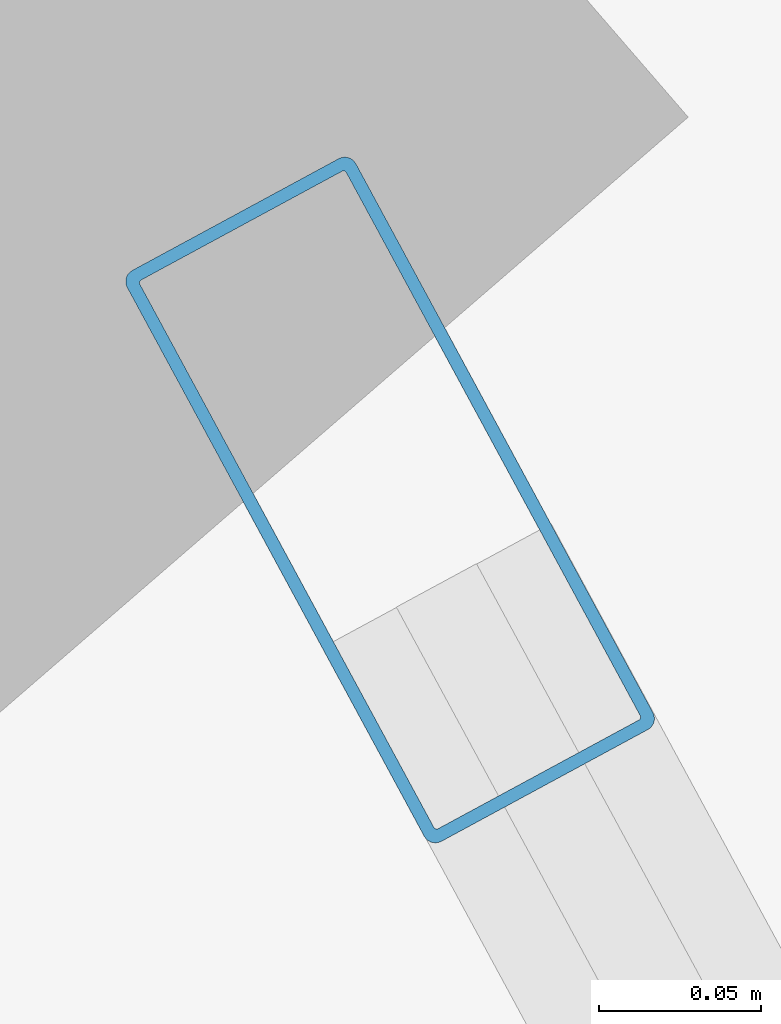
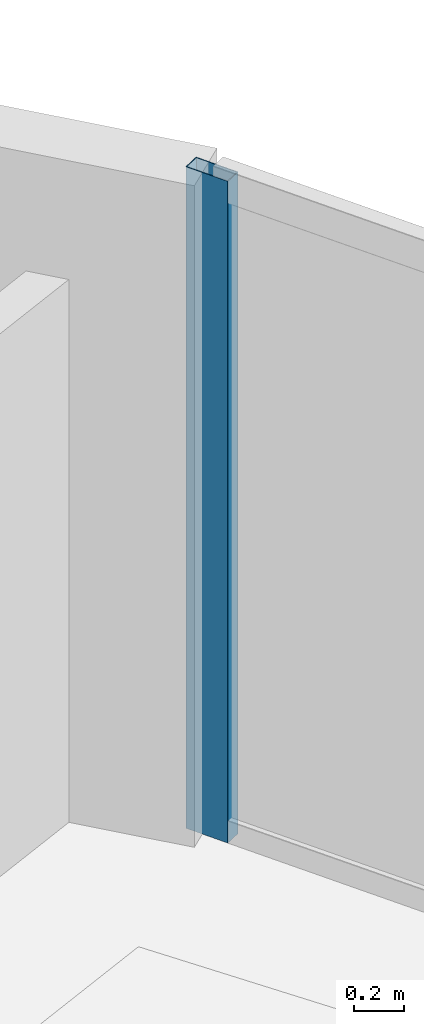
# One storey, part 15 of 22: 1 member, 1 element without a shape of its own.
"""IFC4 building model written with IfcOpenShell, lengths in metres."""

from ifc_helpers import new_model, si_unit, direction, frame, origin, origin_2d, place, context, subcontext, project, spatial, hollow_rectangle, extrude, material, layer, layer_set, material_profile, profile_set, type_object, element, aggregate, save


model = new_model("IFC4")

# Units and contexts
model_context = context("Model", 3, precision=1e-05, world=origin(), true_north=direction((0.0, 1.0)))
body_context = subcontext(model_context, "Body", "Model", "MODEL_VIEW")
ifc_project = project(units=[si_unit("LENGTHUNIT", "METRE"), si_unit("AREAUNIT", "SQUARE_METRE"), si_unit("VOLUMEUNIT", "CUBIC_METRE"), si_unit("PLANEANGLEUNIT", "RADIAN"), si_unit("MASSUNIT", "GRAM", prefix="KILO")], contexts=[model_context])

# Site, building, storey
site_placement = place(None, origin())
site = spatial("IfcSite", under=ifc_project, at=site_placement, CompositionType="ELEMENT")
building_placement = place(site_placement, origin())
building = spatial("IfcBuilding", under=site, at=building_placement, Name="Bramvorn Convention Spire", CompositionType="ELEMENT")
storey_placement = place(building_placement, frame((0.0, 0.0, 141.300048828125)))
storey = spatial("IfcBuildingStorey", under=building, at=storey_placement, Name="L35", CompositionType="ELEMENT", Elevation=141.300048828125)

# Curtain wall, member
ifc_material_1 = material(Name="Anodised Bronze Unitised Curtain Wall", Category="aluminium")
ifc_layer = layer(ifc_material_1, 0.179931640625)
ifc_layer_set = layer_set([ifc_layer], Name="Anodised Bronze Unitised Curtain Wall - CW-HTL-FRIT")
curtain_wall_type = type_object("IfcCurtainWallType", Name="CW-HTL-FRIT", PredefinedType="USERDEFINED", material=ifc_layer_set)
curtain_wall_placement = place(storey_placement, origin())
curtain_wall = element("IfcCurtainWall", 1, at=curtain_wall_placement, inside=storey, type_object=curtain_wall_type, Name="L35 fritted glass curtain wall 04", ObjectType="UNITISED CURTAIN WALL", PredefinedType="USERDEFINED")
ifc_material_2 = material(Name="Anodised Bronze Aluminium 6063-T6", Category="aluminium")
ifc_material_profile = material_profile(ifc_material_2, hollow_rectangle(XDim=0.080078125, YDim=0.199951171875, WallThickness=0.00390625, InnerFilletRadius=0.0009765625, OuterFilletRadius=0.00390625, at=origin_2d()))
ifc_profile_set = profile_set([ifc_material_profile], Name="Anodised Bronze Aluminium 6063-T6 - CWM80X200")
member_type = type_object("IfcMemberType", Name="CW-MUL-180", PredefinedType="MULLION", material=ifc_profile_set)
member_placement = place(storey_placement, frame((60.795166015625, 35.50341796875, 0.0), z_axis=(0.0, 0.0, 1.0), x_axis=(0.87944388134, 0.476002583579, 0.0)))
member = element("IfcMember", 2, at=member_placement, type_object=member_type, Name="CW2 mullion 1", PredefinedType="MULLION", context=body_context, shape_type="SweptSolid", body=[
    extrude(hollow_rectangle(XDim=0.080078125, YDim=0.199951171875, WallThickness=0.00390625, InnerFilletRadius=0.0009765625, OuterFilletRadius=0.00390625, at=origin_2d()), origin(), (0.0, 0.0, 1.0), 3.260009765625),
])
aggregate(curtain_wall, [member])

save(model, "model.ifc")
